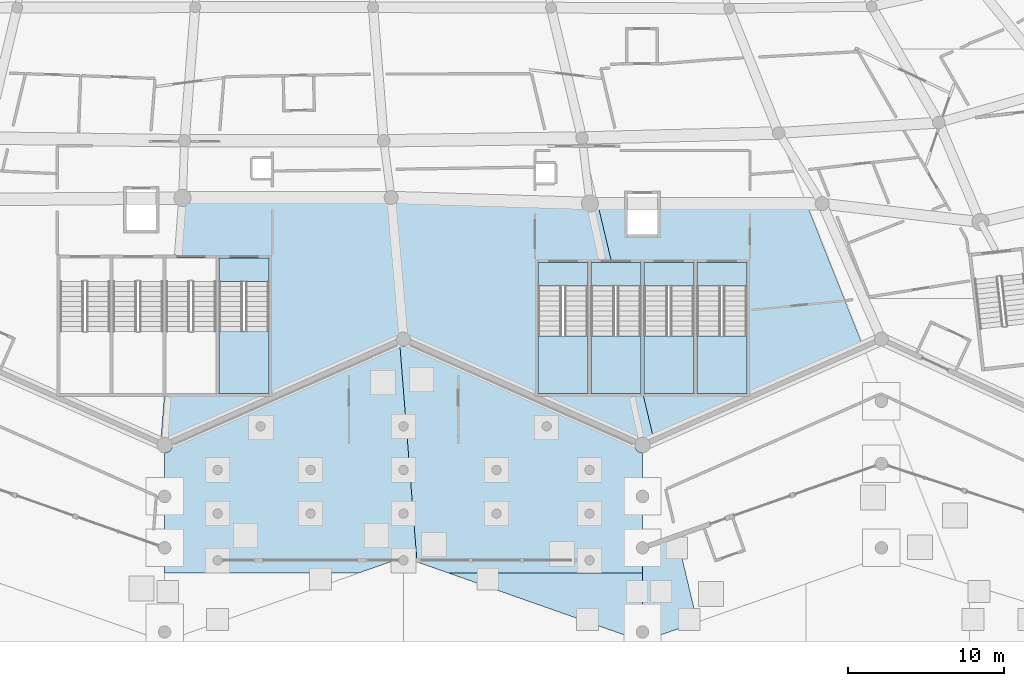
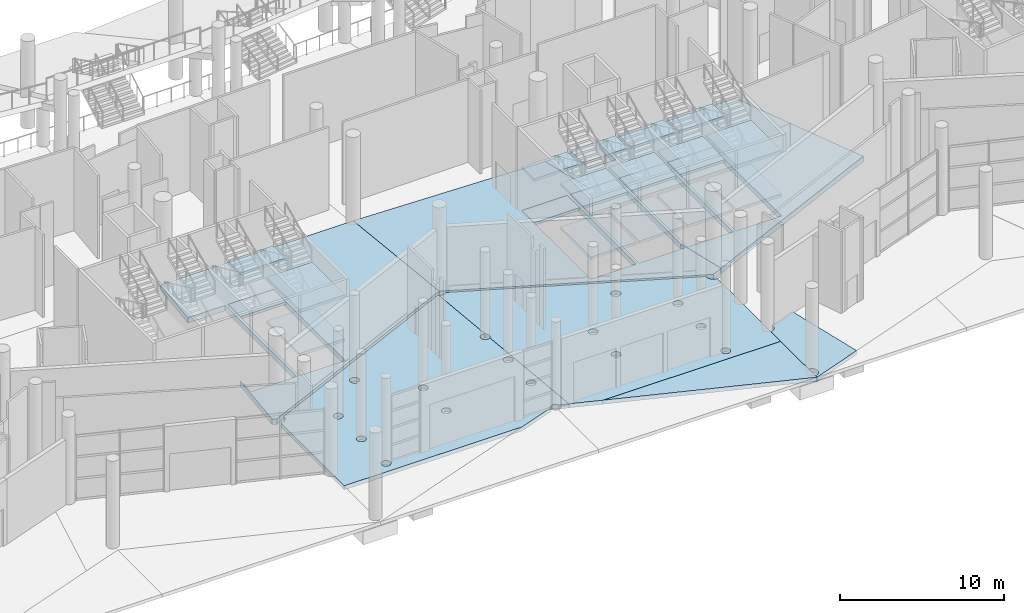
# One storey, part 77 of 255: 27 slabs, 5 elements without a shape of their own.
"""IFC4 building model written with IfcOpenShell, lengths in metres."""

from ifc_helpers import new_model, si_unit, direction, frame, origin, place, context, subcontext, project, spatial, polyline, outline, extrude, material, layer, layer_set, type_object, element, aggregate, save


model = new_model("IFC4")

# Units and contexts
model_context = context("Model", 3, precision=1e-05, world=origin(), true_north=direction((0.0, 1.0)))
body_context = subcontext(model_context, "Body", "Model", "MODEL_VIEW")
ifc_project = project(units=[si_unit("LENGTHUNIT", "METRE"), si_unit("AREAUNIT", "SQUARE_METRE"), si_unit("VOLUMEUNIT", "CUBIC_METRE"), si_unit("PLANEANGLEUNIT", "RADIAN"), si_unit("MASSUNIT", "GRAM", prefix="KILO")], contexts=[model_context])

# Site, building, storey
site_placement = place(None, origin())
site = spatial("IfcSite", under=ifc_project, at=site_placement, CompositionType="ELEMENT")
building_placement = place(site_placement, origin())
building = spatial("IfcBuilding", under=site, at=building_placement, Name="Meseta Stadium", CompositionType="ELEMENT")
storey_placement = place(building_placement, origin())
storey = spatial("IfcBuildingStorey", under=building, at=storey_placement, Name="L00", CompositionType="ELEMENT", Elevation=0.0)

# Slabs
ifc_material_1 = material(Name="Concrete C40/50", Category="concrete")
ifc_layer_1 = layer(ifc_material_1, 0.39990234375)
ifc_layer_set_1 = layer_set([ifc_layer_1], Name="Floor slab 400")
slab_type_1 = type_object("IfcSlabType", Name="Floor slab 400", PredefinedType="FLOOR", material=ifc_layer_set_1)
slab_1_placement = place(storey_placement, frame((0.0, 0.0, -0.39990234375)))
element("IfcSlab", 1, at=slab_1_placement, inside=storey, type_object=slab_type_1, Name="Floor slab L00 sector 42 panel 11", PredefinedType="FLOOR", context=body_context, shape_type="SweptSolid", body=[
    extrude(outline(polyline([(-7.566650390625, -102.10009765625), (-7.566650390625, -100.740478515625), (-7.92724609375, -105.284423828125), (-7.666748046875, -105.39990234375), (7.666748046875, -98.60009765625), (6.87060546875, -89.517822265625), (-6.51708984375, -89.54638671875), (-6.678466796875, -89.547607421875), (-6.984130859375, -93.39990234375), (-4.36669921875, -93.39990234375), (-4.36669921875, -102.10009765625), (-7.566650390625, -102.10009765625)]), holes=[polyline([(-0.966796875, -102.10009765625), (-4.166748046875, -102.10009765625), (-4.166748046875, -93.39990234375), (-0.966796875, -93.39990234375), (-0.966796875, -102.10009765625)])]), origin(), (0.0, 0.0, 1.0), 0.39990234375),
])
slab_2_placement = place(storey_placement, frame((0.0, 0.0, -0.39990234375)))
element("IfcSlab", 2, at=slab_2_placement, inside=storey, type_object=slab_type_1, Name="Floor slab L00 sector 42 panel 13", PredefinedType="FLOOR", context=body_context, shape_type="SweptSolid", body=[
    extrude(outline(polyline([(19.62744140625, -89.90380859375), (6.87060546875, -89.517822265625), (7.666748046875, -98.60009765625), (23.0, -105.39990234375), (23.732177734375, -105.0751953125), (22.89990234375, -101.580078125), (22.89990234375, -102.10009765625), (19.699951171875, -102.10009765625), (19.699951171875, -93.699951171875), (21.023681640625, -93.699951171875), (20.1201171875, -89.904052734375), (19.62744140625, -89.90380859375)]), holes=[polyline([(16.300048828125, -93.699951171875), (19.5, -93.699951171875), (19.5, -102.10009765625), (16.300048828125, -102.10009765625), (16.300048828125, -93.699951171875)])]), origin(), (0.0, 0.0, 1.0), 0.39990234375),
])
slab_3_placement = place(storey_placement, frame((0.0, 0.0, -0.39990234375)))
element("IfcSlab", 3, at=slab_3_placement, inside=storey, type_object=slab_type_1, Name="Floor slab L00 sector 42 panel 15", PredefinedType="FLOOR", context=body_context, shape_type="SweptSolid", body=[
    extrude(outline(polyline([(23.732177734375, -105.0751953125), (37.177001953125, -99.11279296875), (33.525390625, -89.911376953125), (23.949951171875, -89.906005859375), (23.949951171875, -91.89990234375), (22.050048828125, -91.89990234375), (22.050048828125, -89.905029296875), (20.1201171875, -89.904052734375), (21.023681640625, -93.699951171875), (22.89990234375, -93.699951171875), (22.89990234375, -101.580078125), (23.732177734375, -105.0751953125)]), holes=[polyline([(23.10009765625, -93.699951171875), (26.300048828125, -93.699951171875), (26.300048828125, -102.10009765625), (23.10009765625, -102.10009765625), (23.10009765625, -93.699951171875)]), polyline([(26.5, -93.699951171875), (29.699951171875, -93.699951171875), (29.699951171875, -102.10009765625), (26.5, -102.10009765625), (26.5, -93.699951171875)])]), origin(), (0.0, 0.0, 1.0), 0.39990234375),
])
ifc_material_2 = material(Name="Concrete C40/50", Category="concrete")
ifc_layer_2 = layer(ifc_material_2, 0.300048828125)
ifc_layer_set_2 = layer_set([ifc_layer_2], Name="Gate court paving 300")
slab_type_2 = type_object("IfcSlabType", Name="Gate court paving 300", PredefinedType="FLOOR", material=ifc_layer_set_2)
slab_4_placement = place(storey_placement, frame((0.0, 0.0, -0.300048828125)))
element("IfcSlab", 4, at=slab_4_placement, inside=storey, type_object=slab_type_2, Name="Gate 7 court paving", PredefinedType="FLOOR", context=body_context, shape_type="SweptSolid", body=[
    extrude(outline(polyline([(7.666748046875, -112.60009765625), (23.0, -118.0), (23.0, -113.60009765625), (10.506103515625, -113.60009765625), (7.666748046875, -112.60009765625)])), origin(), (0.0, 0.0, 1.0), 0.300048828125),
])
ifc_material_3 = material(Name="Concrete C30/37", Category="concrete")
ifc_layer_3 = layer(ifc_material_3, 0.300048828125)
ifc_layer_set_3 = layer_set([ifc_layer_3], Name="Gate grade slab 300")
slab_type_3 = type_object("IfcSlabType", Name="Gate grade slab 300", PredefinedType="BASESLAB", material=ifc_layer_set_3)
slab_5_placement = place(storey_placement, frame((0.0, 0.0, -0.300048828125)))
element("IfcSlab", 5, at=slab_5_placement, inside=storey, type_object=slab_type_3, Name="Gate ground floor slab 7 panel 01", PredefinedType="BASESLAB", context=body_context, shape_type="SweptSolid", body=[
    extrude(outline(polyline([(7.9287109375, -112.648681640625), (7.949951171875, -112.69970703125), (8.531982421875, -112.90478515625), (7.859619140625, -104.43017578125), (7.818115234375, -104.4619140625), (7.7451171875, -104.4921875), (7.666748046875, -104.502685546875), (7.58837890625, -104.4921875), (7.515380859375, -104.4619140625), (7.45263671875, -104.4140625), (7.404541015625, -104.351318359375), (7.37451171875, -104.2783203125), (7.364013671875, -104.199951171875), (7.37451171875, -104.12158203125), (7.404541015625, -104.048583984375), (7.45263671875, -103.986083984375), (7.515380859375, -103.93798828125), (7.58837890625, -103.90771484375), (7.666748046875, -103.8974609375), (7.7451171875, -103.90771484375), (7.818115234375, -103.93798828125), (7.820556640625, -103.93994140625), (7.42724609375, -98.9833984375), (7.36083984375, -98.9326171875), (-7.165771484375, -105.374755859375), (-7.162353515625, -105.39990234375), (-7.179443359375, -105.530517578125), (-7.22998046875, -105.652099609375), (-7.31005859375, -105.756591796875), (-7.41455078125, -105.836669921875), (-7.5361328125, -105.88720703125), (-7.666748046875, -105.904296875), (-7.666748046875, -113.60009765625), (4.8271484375, -113.60009765625), (7.383544921875, -112.69970703125), (7.404541015625, -112.648681640625), (7.45263671875, -112.5859375), (7.515380859375, -112.5380859375), (7.58837890625, -112.5078125), (7.666748046875, -112.497314453125), (7.7451171875, -112.5078125), (7.818115234375, -112.5380859375), (7.880615234375, -112.5859375), (7.9287109375, -112.648681640625)]), holes=[polyline([(-4.004638671875, -112.951416015625), (-4.052734375, -113.013916015625), (-4.115478515625, -113.06201171875), (-4.1884765625, -113.09228515625), (-4.2666015625, -113.1025390625), (-4.344970703125, -113.09228515625), (-4.41796875, -113.06201171875), (-4.480712890625, -113.013916015625), (-4.52880859375, -112.951416015625), (-4.558837890625, -112.87841796875), (-4.5693359375, -112.800048828125), (-4.558837890625, -112.7216796875), (-4.52880859375, -112.648681640625), (-4.480712890625, -112.5859375), (-4.41796875, -112.5380859375), (-4.344970703125, -112.5078125), (-4.2666015625, -112.497314453125), (-4.1884765625, -112.5078125), (-4.115478515625, -112.5380859375), (-4.052734375, -112.5859375), (-4.004638671875, -112.648681640625), (-3.974365234375, -112.7216796875), (-3.964111328125, -112.800048828125), (-3.974365234375, -112.87841796875), (-4.004638671875, -112.951416015625)]), polyline([(-4.004638671875, -109.951416015625), (-4.052734375, -110.013916015625), (-4.115478515625, -110.06201171875), (-4.1884765625, -110.09228515625), (-4.2666015625, -110.1025390625), (-4.344970703125, -110.09228515625), (-4.41796875, -110.06201171875), (-4.480712890625, -110.013916015625), (-4.52880859375, -109.951416015625), (-4.558837890625, -109.87841796875), (-4.5693359375, -109.800048828125), (-4.558837890625, -109.7216796875), (-4.52880859375, -109.648681640625), (-4.480712890625, -109.5859375), (-4.41796875, -109.5380859375), (-4.344970703125, -109.5078125), (-4.2666015625, -109.497314453125), (-4.1884765625, -109.5078125), (-4.115478515625, -109.5380859375), (-4.052734375, -109.5859375), (-4.004638671875, -109.648681640625), (-3.974365234375, -109.7216796875), (-3.964111328125, -109.800048828125), (-3.974365234375, -109.87841796875), (-4.004638671875, -109.951416015625)]), polyline([(1.9140625, -110.013916015625), (1.851318359375, -110.06201171875), (1.7783203125, -110.09228515625), (1.699951171875, -110.1025390625), (1.62158203125, -110.09228515625), (1.548583984375, -110.06201171875), (1.486083984375, -110.013916015625), (1.43798828125, -109.951416015625), (1.40771484375, -109.87841796875), (1.3974609375, -109.800048828125), (1.40771484375, -109.7216796875), (1.43798828125, -109.648681640625), (1.486083984375, -109.5859375), (1.548583984375, -109.5380859375), (1.62158203125, -109.5078125), (1.699951171875, -109.497314453125), (1.7783203125, -109.5078125), (1.851318359375, -109.5380859375), (1.9140625, -109.5859375), (1.9619140625, -109.648681640625), (1.9921875, -109.7216796875), (2.002685546875, -109.800048828125), (1.9921875, -109.87841796875), (1.9619140625, -109.951416015625), (1.9140625, -110.013916015625)]), polyline([(7.880615234375, -110.013916015625), (7.818115234375, -110.06201171875), (7.7451171875, -110.09228515625), (7.666748046875, -110.1025390625), (7.58837890625, -110.09228515625), (7.515380859375, -110.06201171875), (7.45263671875, -110.013916015625), (7.404541015625, -109.951416015625), (7.37451171875, -109.87841796875), (7.364013671875, -109.800048828125), (7.37451171875, -109.7216796875), (7.404541015625, -109.648681640625), (7.45263671875, -109.5859375), (7.515380859375, -109.5380859375), (7.58837890625, -109.5078125), (7.666748046875, -109.497314453125), (7.7451171875, -109.5078125), (7.818115234375, -109.5380859375), (7.880615234375, -109.5859375), (7.9287109375, -109.648681640625), (7.958984375, -109.7216796875), (7.96923828125, -109.800048828125), (7.958984375, -109.87841796875), (7.9287109375, -109.951416015625), (7.880615234375, -110.013916015625)]), polyline([(-4.004638671875, -107.1513671875), (-4.052734375, -107.214111328125), (-4.115478515625, -107.261962890625), (-4.1884765625, -107.292236328125), (-4.2666015625, -107.302490234375), (-4.344970703125, -107.292236328125), (-4.41796875, -107.261962890625), (-4.480712890625, -107.214111328125), (-4.52880859375, -107.1513671875), (-4.558837890625, -107.078369140625), (-4.5693359375, -107.0), (-4.558837890625, -106.921630859375), (-4.52880859375, -106.8486328125), (-4.480712890625, -106.785888671875), (-4.41796875, -106.738037109375), (-4.344970703125, -106.707763671875), (-4.2666015625, -106.697509765625), (-4.1884765625, -106.707763671875), (-4.115478515625, -106.738037109375), (-4.052734375, -106.785888671875), (-4.004638671875, -106.8486328125), (-3.974365234375, -106.921630859375), (-3.964111328125, -107.0), (-3.974365234375, -107.078369140625), (-4.004638671875, -107.1513671875)]), polyline([(1.9140625, -107.214111328125), (1.851318359375, -107.261962890625), (1.7783203125, -107.292236328125), (1.699951171875, -107.302490234375), (1.62158203125, -107.292236328125), (1.548583984375, -107.261962890625), (1.486083984375, -107.214111328125), (1.43798828125, -107.1513671875), (1.40771484375, -107.078369140625), (1.3974609375, -107.0), (1.40771484375, -106.921630859375), (1.43798828125, -106.8486328125), (1.486083984375, -106.785888671875), (1.548583984375, -106.738037109375), (1.62158203125, -106.707763671875), (1.699951171875, -106.697509765625), (1.7783203125, -106.707763671875), (1.851318359375, -106.738037109375), (1.9140625, -106.785888671875), (1.9619140625, -106.8486328125), (1.9921875, -106.921630859375), (2.002685546875, -107.0), (1.9921875, -107.078369140625), (1.9619140625, -107.1513671875), (1.9140625, -107.214111328125)]), polyline([(-1.302734375, -104.4140625), (-1.365478515625, -104.4619140625), (-1.4384765625, -104.4921875), (-1.516845703125, -104.502685546875), (-1.59521484375, -104.4921875), (-1.668212890625, -104.4619140625), (-1.730712890625, -104.4140625), (-1.77880859375, -104.351318359375), (-1.80908203125, -104.2783203125), (-1.8193359375, -104.199951171875), (-1.80908203125, -104.12158203125), (-1.77880859375, -104.048583984375), (-1.730712890625, -103.986083984375), (-1.668212890625, -103.93798828125), (-1.59521484375, -103.90771484375), (-1.516845703125, -103.8974609375), (-1.4384765625, -103.90771484375), (-1.365478515625, -103.93798828125), (-1.302734375, -103.986083984375), (-1.254638671875, -104.048583984375), (-1.224609375, -104.12158203125), (-1.214111328125, -104.199951171875), (-1.224609375, -104.2783203125), (-1.254638671875, -104.351318359375), (-1.302734375, -104.4140625)]), polyline([(7.880615234375, -107.214111328125), (7.818115234375, -107.261962890625), (7.7451171875, -107.292236328125), (7.666748046875, -107.302490234375), (7.58837890625, -107.292236328125), (7.515380859375, -107.261962890625), (7.45263671875, -107.214111328125), (7.404541015625, -107.1513671875), (7.37451171875, -107.078369140625), (7.364013671875, -107.0), (7.37451171875, -106.921630859375), (7.404541015625, -106.8486328125), (7.45263671875, -106.785888671875), (7.515380859375, -106.738037109375), (7.58837890625, -106.707763671875), (7.666748046875, -106.697509765625), (7.7451171875, -106.707763671875), (7.818115234375, -106.738037109375), (7.880615234375, -106.785888671875), (7.9287109375, -106.8486328125), (7.958984375, -106.921630859375), (7.96923828125, -107.0), (7.958984375, -107.078369140625), (7.9287109375, -107.1513671875), (7.880615234375, -107.214111328125)])]), origin(), (0.0, 0.0, 1.0), 0.300048828125),
])
slab_6_placement = place(storey_placement, frame((0.0, 0.0, -0.300048828125)))
element("IfcSlab", 6, at=slab_6_placement, inside=storey, type_object=slab_type_3, Name="Gate ground floor slab 7 panel 02", PredefinedType="BASESLAB", context=body_context, shape_type="SweptSolid", body=[
    extrude(outline(polyline([(7.54931640625, -99.038330078125), (7.439697265625, -98.9931640625), (7.42724609375, -98.9833984375), (7.820556640625, -103.93994140625), (7.880615234375, -103.986083984375), (7.9287109375, -104.048583984375), (7.958984375, -104.12158203125), (7.96923828125, -104.199951171875), (7.958984375, -104.2783203125), (7.9287109375, -104.351318359375), (7.880615234375, -104.4140625), (7.859619140625, -104.43017578125), (8.531982421875, -112.90478515625), (10.506103515625, -113.60009765625), (23.0, -113.60009765625), (23.0, -105.904296875), (22.869384765625, -105.88720703125), (22.747802734375, -105.836669921875), (22.643310546875, -105.756591796875), (22.563232421875, -105.652099609375), (22.512939453125, -105.530517578125), (22.49560546875, -105.39990234375), (22.4990234375, -105.374755859375), (7.972412109375, -98.9326171875), (7.8935546875, -98.9931640625), (7.7841796875, -99.038330078125), (7.666748046875, -99.053955078125), (7.54931640625, -99.038330078125)]), holes=[polyline([(19.862060546875, -112.951416015625), (19.81396484375, -113.013916015625), (19.751220703125, -113.06201171875), (19.67822265625, -113.09228515625), (19.60009765625, -113.1025390625), (19.521728515625, -113.09228515625), (19.44873046875, -113.06201171875), (19.385986328125, -113.013916015625), (19.337890625, -112.951416015625), (19.3076171875, -112.87841796875), (19.29736328125, -112.800048828125), (19.3076171875, -112.7216796875), (19.337890625, -112.648681640625), (19.385986328125, -112.5859375), (19.44873046875, -112.5380859375), (19.521728515625, -112.5078125), (19.60009765625, -112.497314453125), (19.67822265625, -112.5078125), (19.751220703125, -112.5380859375), (19.81396484375, -112.5859375), (19.862060546875, -112.648681640625), (19.892333984375, -112.7216796875), (19.902587890625, -112.800048828125), (19.892333984375, -112.87841796875), (19.862060546875, -112.951416015625)]), polyline([(13.8955078125, -109.951416015625), (13.847412109375, -110.013916015625), (13.78466796875, -110.06201171875), (13.711669921875, -110.09228515625), (13.63330078125, -110.1025390625), (13.554931640625, -110.09228515625), (13.48193359375, -110.06201171875), (13.41943359375, -110.013916015625), (13.371337890625, -109.951416015625), (13.341064453125, -109.87841796875), (13.330810546875, -109.800048828125), (13.341064453125, -109.7216796875), (13.371337890625, -109.648681640625), (13.41943359375, -109.5859375), (13.48193359375, -109.5380859375), (13.554931640625, -109.5078125), (13.63330078125, -109.497314453125), (13.711669921875, -109.5078125), (13.78466796875, -109.5380859375), (13.847412109375, -109.5859375), (13.8955078125, -109.648681640625), (13.925537109375, -109.7216796875), (13.935791015625, -109.800048828125), (13.925537109375, -109.87841796875), (13.8955078125, -109.951416015625)]), polyline([(19.862060546875, -109.951416015625), (19.81396484375, -110.013916015625), (19.751220703125, -110.06201171875), (19.67822265625, -110.09228515625), (19.60009765625, -110.1025390625), (19.521728515625, -110.09228515625), (19.44873046875, -110.06201171875), (19.385986328125, -110.013916015625), (19.337890625, -109.951416015625), (19.3076171875, -109.87841796875), (19.29736328125, -109.800048828125), (19.3076171875, -109.7216796875), (19.337890625, -109.648681640625), (19.385986328125, -109.5859375), (19.44873046875, -109.5380859375), (19.521728515625, -109.5078125), (19.60009765625, -109.497314453125), (19.67822265625, -109.5078125), (19.751220703125, -109.5380859375), (19.81396484375, -109.5859375), (19.862060546875, -109.648681640625), (19.892333984375, -109.7216796875), (19.902587890625, -109.800048828125), (19.892333984375, -109.87841796875), (19.862060546875, -109.951416015625)]), polyline([(13.847412109375, -107.214111328125), (13.78466796875, -107.261962890625), (13.711669921875, -107.292236328125), (13.63330078125, -107.302490234375), (13.554931640625, -107.292236328125), (13.48193359375, -107.261962890625), (13.41943359375, -107.214111328125), (13.371337890625, -107.1513671875), (13.341064453125, -107.078369140625), (13.330810546875, -107.0), (13.341064453125, -106.921630859375), (13.371337890625, -106.8486328125), (13.41943359375, -106.785888671875), (13.48193359375, -106.738037109375), (13.554931640625, -106.707763671875), (13.63330078125, -106.697509765625), (13.711669921875, -106.707763671875), (13.78466796875, -106.738037109375), (13.847412109375, -106.785888671875), (13.8955078125, -106.8486328125), (13.925537109375, -106.921630859375), (13.935791015625, -107.0), (13.925537109375, -107.078369140625), (13.8955078125, -107.1513671875), (13.847412109375, -107.214111328125)]), polyline([(19.862060546875, -107.1513671875), (19.81396484375, -107.214111328125), (19.751220703125, -107.261962890625), (19.67822265625, -107.292236328125), (19.60009765625, -107.302490234375), (19.521728515625, -107.292236328125), (19.44873046875, -107.261962890625), (19.385986328125, -107.214111328125), (19.337890625, -107.1513671875), (19.3076171875, -107.078369140625), (19.29736328125, -107.0), (19.3076171875, -106.921630859375), (19.337890625, -106.8486328125), (19.385986328125, -106.785888671875), (19.44873046875, -106.738037109375), (19.521728515625, -106.707763671875), (19.60009765625, -106.697509765625), (19.67822265625, -106.707763671875), (19.751220703125, -106.738037109375), (19.81396484375, -106.785888671875), (19.862060546875, -106.8486328125), (19.892333984375, -106.921630859375), (19.902587890625, -107.0), (19.892333984375, -107.078369140625), (19.862060546875, -107.1513671875)]), polyline([(17.1123046875, -104.351318359375), (17.064208984375, -104.4140625), (17.00146484375, -104.4619140625), (16.928466796875, -104.4921875), (16.85009765625, -104.502685546875), (16.771728515625, -104.4921875), (16.69873046875, -104.4619140625), (16.63623046875, -104.4140625), (16.588134765625, -104.351318359375), (16.557861328125, -104.2783203125), (16.547607421875, -104.199951171875), (16.557861328125, -104.12158203125), (16.588134765625, -104.048583984375), (16.63623046875, -103.986083984375), (16.69873046875, -103.93798828125), (16.771728515625, -103.90771484375), (16.85009765625, -103.8974609375), (16.928466796875, -103.90771484375), (17.00146484375, -103.93798828125), (17.064208984375, -103.986083984375), (17.1123046875, -104.048583984375), (17.142333984375, -104.12158203125), (17.152587890625, -104.199951171875), (17.142333984375, -104.2783203125), (17.1123046875, -104.351318359375)])]), origin(), (0.0, 0.0, 1.0), 0.300048828125),
])
ifc_material_4 = material(Name="Concrete C40/50", Category="concrete")
ifc_layer_4 = layer(ifc_material_4, 0.300048828125)
ifc_layer_set_4 = layer_set([ifc_layer_4], Name="Passage paving slab 300")
slab_type_4 = type_object("IfcSlabType", Name="Passage paving slab 300", PredefinedType="FLOOR", material=ifc_layer_set_4)
slab_7_placement = place(storey_placement, frame((0.0, 0.0, -0.300048828125)))
element("IfcSlab", 7, at=slab_7_placement, inside=storey, type_object=slab_type_4, Name="Covered passage paving 7 part 1 panel 01", PredefinedType="FLOOR", context=body_context, shape_type="SweptSolid", body=[
    extrude(outline(polyline([(23.0, -117.803466796875), (23.0, -118.0), (26.514892578125, -116.76220703125), (25.19677734375, -111.226318359375), (23.377685546875, -111.866943359375), (23.3896484375, -111.8955078125), (23.403564453125, -112.0), (23.3896484375, -112.1044921875), (23.349365234375, -112.20166015625), (23.285400390625, -112.285400390625), (23.20166015625, -112.349365234375), (23.1044921875, -112.3896484375), (23.0, -112.403564453125), (23.0, -116.99658203125), (23.1044921875, -117.01025390625), (23.20166015625, -117.050537109375), (23.285400390625, -117.11474609375), (23.349365234375, -117.1982421875), (23.3896484375, -117.295654296875), (23.403564453125, -117.39990234375), (23.3896484375, -117.50439453125), (23.349365234375, -117.601806640625), (23.285400390625, -117.685302734375), (23.20166015625, -117.74951171875), (23.1044921875, -117.789794921875), (23.0, -117.803466796875)])), origin(), (0.0, 0.0, 1.0), 0.300048828125),
])

# Stair, slabs
ifc_material_5 = material(Name="Concrete C40/50", Category="concrete")
stair_type = type_object("IfcStairType", Name="Exit stair 4 flights 148 mm risers", PredefinedType="HALF_TURN_STAIR", material=ifc_material_5)
stair_1_placement = place(storey_placement, origin())
stair_1 = element("IfcStair", 8, at=stair_1_placement, inside=storey, type_object=stair_type, Name="ST96 L00", PredefinedType="HALF_TURN_STAIR")
ifc_material_6 = material(Name="Concrete C40/50", Category="concrete")
ifc_layer_5 = layer(ifc_material_6, 0.199951171875)
ifc_layer_set_5 = layer_set([ifc_layer_5], Name="Stair landing 200")
slab_type_5 = type_object("IfcSlabType", Name="Stair landing 200", PredefinedType="LANDING", material=ifc_layer_set_5)
slab_8_placement = place(storey_placement, frame((0.0, 0.0, 1.425048828125)))
slab_8 = element("IfcSlab", 9, at=slab_8_placement, type_object=slab_type_5, Name="ST96 L00 landing 1", PredefinedType="LANDING", context=body_context, shape_type="SweptSolid", body=[
    extrude(outline(polyline([(-4.166748046875, -98.090087890625), (-4.166748046875, -102.10009765625), (-0.966552734375, -102.10009765625), (-0.966552734375, -98.090087890625), (-4.166748046875, -98.090087890625)])), origin(), (0.0, 0.0, 1.0), 0.199951171875),
])
slab_9_placement = place(storey_placement, frame((0.0, 0.0, 3.050048828125)))
slab_9 = element("IfcSlab", 10, at=slab_9_placement, type_object=slab_type_5, Name="ST96 L00 landing 2", PredefinedType="LANDING", context=body_context, shape_type="SweptSolid", body=[
    extrude(outline(polyline([(-4.166748046875, -93.39990234375), (-4.166748046875, -94.909912109375), (-0.966552734375, -94.909912109375), (-0.966552734375, -93.39990234375), (-4.166748046875, -93.39990234375)])), origin(), (0.0, 0.0, 1.0), 0.199951171875),
])
slab_10_placement = place(storey_placement, frame((0.0, 0.0, 4.675048828125)))
slab_10 = element("IfcSlab", 11, at=slab_10_placement, type_object=slab_type_5, Name="ST96 L00 landing 3", PredefinedType="LANDING", context=body_context, shape_type="SweptSolid", body=[
    extrude(outline(polyline([(-4.166748046875, -98.090087890625), (-4.166748046875, -102.10009765625), (-0.966552734375, -102.10009765625), (-0.966552734375, -98.090087890625), (-4.166748046875, -98.090087890625)])), origin(), (0.0, 0.0, 1.0), 0.199951171875),
])
slab_11_placement = place(storey_placement, frame((0.0, 0.0, -0.199951171875)))
slab_11 = element("IfcSlab", 12, at=slab_11_placement, type_object=slab_type_5, Name="ST96 L00 landing 4", PredefinedType="LANDING", context=body_context, shape_type="SweptSolid", body=[
    extrude(outline(polyline([(-4.166748046875, -93.39990234375), (-4.166748046875, -94.909912109375), (-0.966552734375, -94.909912109375), (-0.966552734375, -93.39990234375), (-4.166748046875, -93.39990234375)])), origin(), (0.0, 0.0, 1.0), 0.199951171875),
])
aggregate(stair_1, [slab_8, slab_9, slab_10, slab_11])

stair_2_placement = place(storey_placement, origin())
stair_2 = element("IfcStair", 13, at=stair_2_placement, inside=storey, type_object=stair_type, Name="ST97 L00", PredefinedType="HALF_TURN_STAIR")
slab_12_placement = place(storey_placement, frame((0.0, 0.0, 1.425048828125)))
slab_12 = element("IfcSlab", 14, at=slab_12_placement, type_object=slab_type_5, Name="ST97 L00 landing 1", PredefinedType="LANDING", context=body_context, shape_type="SweptSolid", body=[
    extrude(outline(polyline([(16.300048828125, -98.389892578125), (16.300048828125, -102.10009765625), (19.5, -102.10009765625), (19.5, -98.389892578125), (16.300048828125, -98.389892578125)])), origin(), (0.0, 0.0, 1.0), 0.199951171875),
])
slab_13_placement = place(storey_placement, frame((0.0, 0.0, 3.050048828125)))
slab_13 = element("IfcSlab", 15, at=slab_13_placement, type_object=slab_type_5, Name="ST97 L00 landing 2", PredefinedType="LANDING", context=body_context, shape_type="SweptSolid", body=[
    extrude(outline(polyline([(16.300048828125, -93.699951171875), (16.300048828125, -95.2099609375), (19.5, -95.2099609375), (19.5, -93.699951171875), (16.300048828125, -93.699951171875)])), origin(), (0.0, 0.0, 1.0), 0.199951171875),
])
slab_14_placement = place(storey_placement, frame((0.0, 0.0, 4.675048828125)))
slab_14 = element("IfcSlab", 16, at=slab_14_placement, type_object=slab_type_5, Name="ST97 L00 landing 3", PredefinedType="LANDING", context=body_context, shape_type="SweptSolid", body=[
    extrude(outline(polyline([(16.300048828125, -98.389892578125), (16.300048828125, -102.10009765625), (19.5, -102.10009765625), (19.5, -98.389892578125), (16.300048828125, -98.389892578125)])), origin(), (0.0, 0.0, 1.0), 0.199951171875),
])
slab_15_placement = place(storey_placement, frame((0.0, 0.0, -0.199951171875)))
slab_15 = element("IfcSlab", 17, at=slab_15_placement, type_object=slab_type_5, Name="ST97 L00 landing 4", PredefinedType="LANDING", context=body_context, shape_type="SweptSolid", body=[
    extrude(outline(polyline([(16.300048828125, -93.699951171875), (16.300048828125, -95.2099609375), (19.5, -95.2099609375), (19.5, -93.699951171875), (16.300048828125, -93.699951171875)])), origin(), (0.0, 0.0, 1.0), 0.199951171875),
])
aggregate(stair_2, [slab_12, slab_13, slab_14, slab_15])

stair_3_placement = place(storey_placement, origin())
stair_3 = element("IfcStair", 18, at=stair_3_placement, inside=storey, type_object=stair_type, Name="ST98 L00", PredefinedType="HALF_TURN_STAIR")
slab_16_placement = place(storey_placement, frame((0.0, 0.0, 1.425048828125)))
slab_16 = element("IfcSlab", 19, at=slab_16_placement, type_object=slab_type_5, Name="ST98 L00 landing 1", PredefinedType="LANDING", context=body_context, shape_type="SweptSolid", body=[
    extrude(outline(polyline([(19.699951171875, -98.389892578125), (19.699951171875, -102.10009765625), (22.89990234375, -102.10009765625), (22.89990234375, -98.389892578125), (19.699951171875, -98.389892578125)])), origin(), (0.0, 0.0, 1.0), 0.199951171875),
])
slab_17_placement = place(storey_placement, frame((0.0, 0.0, 3.050048828125)))
slab_17 = element("IfcSlab", 20, at=slab_17_placement, type_object=slab_type_5, Name="ST98 L00 landing 2", PredefinedType="LANDING", context=body_context, shape_type="SweptSolid", body=[
    extrude(outline(polyline([(19.699951171875, -93.699951171875), (19.699951171875, -95.2099609375), (22.89990234375, -95.2099609375), (22.89990234375, -93.699951171875), (19.699951171875, -93.699951171875)])), origin(), (0.0, 0.0, 1.0), 0.199951171875),
])
slab_18_placement = place(storey_placement, frame((0.0, 0.0, 4.675048828125)))
slab_18 = element("IfcSlab", 21, at=slab_18_placement, type_object=slab_type_5, Name="ST98 L00 landing 3", PredefinedType="LANDING", context=body_context, shape_type="SweptSolid", body=[
    extrude(outline(polyline([(19.699951171875, -98.389892578125), (19.699951171875, -102.10009765625), (22.89990234375, -102.10009765625), (22.89990234375, -98.389892578125), (19.699951171875, -98.389892578125)])), origin(), (0.0, 0.0, 1.0), 0.199951171875),
])
slab_19_placement = place(storey_placement, frame((0.0, 0.0, -0.199951171875)))
slab_19 = element("IfcSlab", 22, at=slab_19_placement, type_object=slab_type_5, Name="ST98 L00 landing 4", PredefinedType="LANDING", context=body_context, shape_type="SweptSolid", body=[
    extrude(outline(polyline([(19.699951171875, -93.699951171875), (19.699951171875, -95.2099609375), (22.89990234375, -95.2099609375), (22.89990234375, -93.699951171875), (19.699951171875, -93.699951171875)])), origin(), (0.0, 0.0, 1.0), 0.199951171875),
])
aggregate(stair_3, [slab_16, slab_17, slab_18, slab_19])

stair_4_placement = place(storey_placement, origin())
stair_4 = element("IfcStair", 23, at=stair_4_placement, inside=storey, type_object=stair_type, Name="ST99 L00", PredefinedType="HALF_TURN_STAIR")
slab_20_placement = place(storey_placement, frame((0.0, 0.0, 1.425048828125)))
slab_20 = element("IfcSlab", 24, at=slab_20_placement, type_object=slab_type_5, Name="ST99 L00 landing 1", PredefinedType="LANDING", context=body_context, shape_type="SweptSolid", body=[
    extrude(outline(polyline([(23.10009765625, -98.389892578125), (23.10009765625, -102.10009765625), (26.300048828125, -102.10009765625), (26.300048828125, -98.389892578125), (23.10009765625, -98.389892578125)])), origin(), (0.0, 0.0, 1.0), 0.199951171875),
])
slab_21_placement = place(storey_placement, frame((0.0, 0.0, 3.050048828125)))
slab_21 = element("IfcSlab", 25, at=slab_21_placement, type_object=slab_type_5, Name="ST99 L00 landing 2", PredefinedType="LANDING", context=body_context, shape_type="SweptSolid", body=[
    extrude(outline(polyline([(23.10009765625, -93.699951171875), (23.10009765625, -95.2099609375), (26.300048828125, -95.2099609375), (26.300048828125, -93.699951171875), (23.10009765625, -93.699951171875)])), origin(), (0.0, 0.0, 1.0), 0.199951171875),
])
slab_22_placement = place(storey_placement, frame((0.0, 0.0, 4.675048828125)))
slab_22 = element("IfcSlab", 26, at=slab_22_placement, type_object=slab_type_5, Name="ST99 L00 landing 3", PredefinedType="LANDING", context=body_context, shape_type="SweptSolid", body=[
    extrude(outline(polyline([(23.10009765625, -98.389892578125), (23.10009765625, -102.10009765625), (26.300048828125, -102.10009765625), (26.300048828125, -98.389892578125), (23.10009765625, -98.389892578125)])), origin(), (0.0, 0.0, 1.0), 0.199951171875),
])
slab_23_placement = place(storey_placement, frame((0.0, 0.0, -0.199951171875)))
slab_23 = element("IfcSlab", 27, at=slab_23_placement, type_object=slab_type_5, Name="ST99 L00 landing 4", PredefinedType="LANDING", context=body_context, shape_type="SweptSolid", body=[
    extrude(outline(polyline([(23.10009765625, -93.699951171875), (23.10009765625, -95.2099609375), (26.300048828125, -95.2099609375), (26.300048828125, -93.699951171875), (23.10009765625, -93.699951171875)])), origin(), (0.0, 0.0, 1.0), 0.199951171875),
])
aggregate(stair_4, [slab_20, slab_21, slab_22, slab_23])

stair_5_placement = place(storey_placement, origin())
stair_5 = element("IfcStair", 28, at=stair_5_placement, inside=storey, type_object=stair_type, Name="ST100 L00", PredefinedType="HALF_TURN_STAIR")
slab_24_placement = place(storey_placement, frame((0.0, 0.0, 1.425048828125)))
slab_24 = element("IfcSlab", 29, at=slab_24_placement, type_object=slab_type_5, Name="ST100 L00 landing 1", PredefinedType="LANDING", context=body_context, shape_type="SweptSolid", body=[
    extrude(outline(polyline([(26.5, -98.389892578125), (26.5, -102.10009765625), (29.699951171875, -102.10009765625), (29.699951171875, -98.389892578125), (26.5, -98.389892578125)])), origin(), (0.0, 0.0, 1.0), 0.199951171875),
])
slab_25_placement = place(storey_placement, frame((0.0, 0.0, 3.050048828125)))
slab_25 = element("IfcSlab", 30, at=slab_25_placement, type_object=slab_type_5, Name="ST100 L00 landing 2", PredefinedType="LANDING", context=body_context, shape_type="SweptSolid", body=[
    extrude(outline(polyline([(26.5, -93.699951171875), (26.5, -95.2099609375), (29.699951171875, -95.2099609375), (29.699951171875, -93.699951171875), (26.5, -93.699951171875)])), origin(), (0.0, 0.0, 1.0), 0.199951171875),
])
slab_26_placement = place(storey_placement, frame((0.0, 0.0, 4.675048828125)))
slab_26 = element("IfcSlab", 31, at=slab_26_placement, type_object=slab_type_5, Name="ST100 L00 landing 3", PredefinedType="LANDING", context=body_context, shape_type="SweptSolid", body=[
    extrude(outline(polyline([(26.5, -98.389892578125), (26.5, -102.10009765625), (29.699951171875, -102.10009765625), (29.699951171875, -98.389892578125), (26.5, -98.389892578125)])), origin(), (0.0, 0.0, 1.0), 0.199951171875),
])
slab_27_placement = place(storey_placement, frame((0.0, 0.0, -0.199951171875)))
slab_27 = element("IfcSlab", 32, at=slab_27_placement, type_object=slab_type_5, Name="ST100 L00 landing 4", PredefinedType="LANDING", context=body_context, shape_type="SweptSolid", body=[
    extrude(outline(polyline([(26.5, -93.699951171875), (26.5, -95.2099609375), (29.699951171875, -95.2099609375), (29.699951171875, -93.699951171875), (26.5, -93.699951171875)])), origin(), (0.0, 0.0, 1.0), 0.199951171875),
])
aggregate(stair_5, [slab_24, slab_25, slab_26, slab_27])

save(model, "model.ifc")
